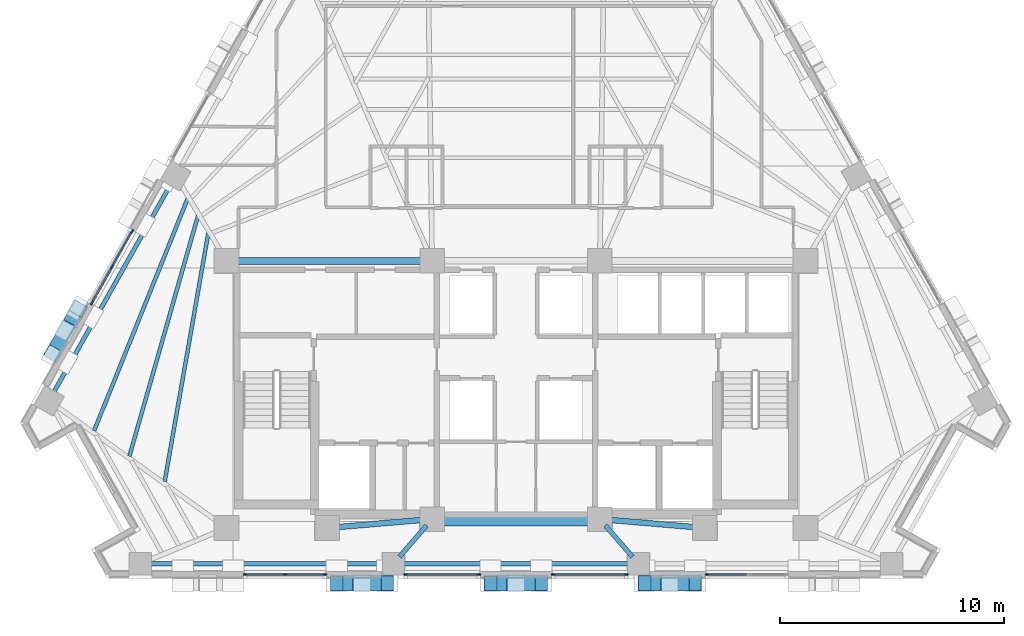
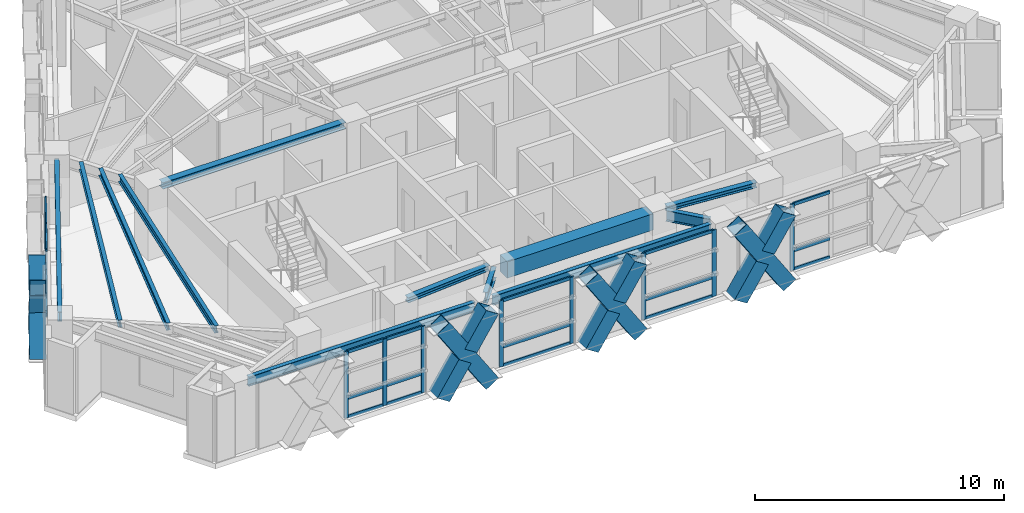
# One storey, part 2 of 14: 44 members, 12 beams, 5 elements without a shape of their own.
"""IFC4 building model written with IfcOpenShell, lengths in metres."""

from ifc_helpers import new_model, si_unit, direction, frame, origin, origin_2d, place, context, subcontext, project, spatial, rectangle, hollow_rectangle, i_section, extrude, material, material_profile, profile_set, type_object, element, aggregate, save


model = new_model("IFC4")

# Units and contexts
model_context = context("Model", 3, precision=1e-05, world=origin(), true_north=direction((0.0, 1.0)))
body_context = subcontext(model_context, "Body", "Model", "MODEL_VIEW")
ifc_project = project(units=[si_unit("LENGTHUNIT", "METRE"), si_unit("AREAUNIT", "SQUARE_METRE"), si_unit("VOLUMEUNIT", "CUBIC_METRE"), si_unit("PLANEANGLEUNIT", "RADIAN"), si_unit("MASSUNIT", "GRAM", prefix="KILO")], contexts=[model_context])

# Site, building, storey
site_placement = place(None, origin())
site = spatial("IfcSite", under=ifc_project, at=site_placement, CompositionType="ELEMENT")
building_placement = place(site_placement, origin())
building = spatial("IfcBuilding", under=site, at=building_placement, Name="Quenlor Broadcast Tower", CompositionType="ELEMENT")
storey_placement = place(building_placement, frame((0.0, 0.0, 154.5)))
storey = spatial("IfcBuildingStorey", under=building, at=storey_placement, Name="L42", CompositionType="ELEMENT", Elevation=154.5)

# Curtain wall, member
ifc_material_1 = material(Name="Architectural Terracotta and Low-E Glazing", Category="masonry")
curtain_wall_type = type_object("IfcCurtainWallType", Name="Unitised Terracotta Curtain Wall System Z3", PredefinedType="NOTDEFINED", material=ifc_material_1)
curtain_wall_1_placement = place(storey_placement, origin())
curtain_wall_1 = element("IfcCurtainWall", 1, at=curtain_wall_1_placement, inside=storey, type_object=curtain_wall_type, Name="L42 Curtain Wall CW3 (L42-SA-G1)", PredefinedType="NOTDEFINED")
ifc_material_2 = material(Name="Aluminium 6063-T6", Category="aluminium")
ifc_material_profile_1 = material_profile(ifc_material_2, rectangle(XDim=0.070068359375, YDim=0.18994140625, at=origin_2d()))
ifc_profile_set_1 = profile_set([ifc_material_profile_1], Name="Aluminium 6063-T6 MULL70x190")
member_type_1 = type_object("IfcMemberType", Name="CW3 Aluminium Mullion MULL_CW3", PredefinedType="MULLION", material=ifc_profile_set_1)
member_1_placement = place(storey_placement, frame((8.550048828125, -18.824951171875, 0.0), z_axis=(0.0, 0.0, 1.0), x_axis=(0.0, -1.0, 0.0)))
member_1 = element("IfcMember", 2, at=member_1_placement, type_object=member_type_1, Name="CW3 mullion 3", PredefinedType="MULLION", context=body_context, shape_type="SweptSolid", body=[
    extrude(rectangle(XDim=0.070068359375, YDim=0.18994140625, at=origin_2d()), origin(), (0.0, 0.0, 1.0), 3.25),
])

# Curtain wall, members
curtain_wall_2_placement = place(storey_placement, origin())
curtain_wall_2 = element("IfcCurtainWall", 3, at=curtain_wall_2_placement, inside=storey, type_object=curtain_wall_type, Name="L42 Curtain Wall CW3 (L42-SC-G1)", PredefinedType="NOTDEFINED")
member_2_placement = place(storey_placement, frame((-8.550048828125, -18.824951171875, 0.0), z_axis=(0.0, 0.0, 1.0), x_axis=(0.0, -1.0, 0.0)))
member_2 = element("IfcMember", 4, at=member_2_placement, type_object=member_type_1, Name="CW3 mullion 1", PredefinedType="MULLION", context=body_context, shape_type="SweptSolid", body=[
    extrude(rectangle(XDim=0.070068359375, YDim=0.18994140625, at=origin_2d()), origin(), (0.0, 0.0, 1.0), 3.25),
])
member_3_placement = place(storey_placement, frame((-10.33203125, -18.824951171875, 0.0), z_axis=(0.0, 0.0, 1.0), x_axis=(0.0, -1.0, 0.0)))
member_3 = element("IfcMember", 5, at=member_3_placement, type_object=member_type_1, Name="CW3 mullion 2", PredefinedType="MULLION", context=body_context, shape_type="SweptSolid", body=[
    extrude(rectangle(XDim=0.070068359375, YDim=0.18994140625, at=origin_2d()), origin(), (0.0, 0.0, 1.0), 3.25),
])
member_4_placement = place(storey_placement, frame((-12.114013671875, -18.824951171875, 0.0), z_axis=(0.0, 0.0, 1.0), x_axis=(0.0, -1.0, 0.0)))
member_4 = element("IfcMember", 6, at=member_4_placement, type_object=member_type_1, Name="CW3 mullion 3", PredefinedType="MULLION", context=body_context, shape_type="SweptSolid", body=[
    extrude(rectangle(XDim=0.070068359375, YDim=0.18994140625, at=origin_2d()), origin(), (0.0, 0.0, 1.0), 3.25),
])

curtain_wall_3_placement = place(storey_placement, origin())
curtain_wall_3 = element("IfcCurtainWall", 7, at=curtain_wall_3_placement, inside=storey, type_object=curtain_wall_type, Name="L42 Curtain Wall CW3 (L42-S-G1)", PredefinedType="NOTDEFINED")
member_5_placement = place(storey_placement, frame((4.926025390625, -18.824951171875, 0.0), z_axis=(0.0, 0.0, 1.0), x_axis=(0.0, -1.0, 0.0)))
member_5 = element("IfcMember", 8, at=member_5_placement, type_object=member_type_1, Name="CW3 mullion 1", PredefinedType="MULLION", context=body_context, shape_type="SweptSolid", body=[
    extrude(rectangle(XDim=0.070068359375, YDim=0.18994140625, at=origin_2d()), origin(), (0.0, 0.0, 1.0), 3.25),
])
member_6_placement = place(storey_placement, frame((1.662109375, -18.824951171875, 0.0), z_axis=(0.0, 0.0, 1.0), x_axis=(0.0, -1.0, 0.0)))
member_6 = element("IfcMember", 9, at=member_6_placement, type_object=member_type_1, Name="CW3 mullion 2", PredefinedType="MULLION", context=body_context, shape_type="SweptSolid", body=[
    extrude(rectangle(XDim=0.070068359375, YDim=0.18994140625, at=origin_2d()), origin(), (0.0, 0.0, 1.0), 3.25),
])

curtain_wall_4_placement = place(storey_placement, origin())
curtain_wall_4 = element("IfcCurtainWall", 10, at=curtain_wall_4_placement, inside=storey, type_object=curtain_wall_type, Name="L42 Curtain Wall CW3 (L42-S-G2)", PredefinedType="NOTDEFINED")
member_7_placement = place(storey_placement, frame((-1.662109375, -18.824951171875, 0.0), z_axis=(0.0, 0.0, 1.0), x_axis=(0.0, -1.0, 0.0)))
member_7 = element("IfcMember", 11, at=member_7_placement, type_object=member_type_1, Name="CW3 mullion 1", PredefinedType="MULLION", context=body_context, shape_type="SweptSolid", body=[
    extrude(rectangle(XDim=0.070068359375, YDim=0.18994140625, at=origin_2d()), origin(), (0.0, 0.0, 1.0), 3.25),
])
member_8_placement = place(storey_placement, frame((-4.926025390625, -18.824951171875, 0.0), z_axis=(0.0, 0.0, 1.0), x_axis=(0.0, -1.0, 0.0)))
member_8 = element("IfcMember", 12, at=member_8_placement, type_object=member_type_1, Name="CW3 mullion 2", PredefinedType="MULLION", context=body_context, shape_type="SweptSolid", body=[
    extrude(rectangle(XDim=0.070068359375, YDim=0.18994140625, at=origin_2d()), origin(), (0.0, 0.0, 1.0), 3.25),
])

curtain_wall_5_placement = place(storey_placement, origin())
curtain_wall_5 = element("IfcCurtainWall", 13, at=curtain_wall_5_placement, inside=storey, type_object=curtain_wall_type, Name="L42 Curtain Wall CW3 (L42-NWA-G1)", PredefinedType="NOTDEFINED")
member_9_placement = place(storey_placement, frame((-18.9677734375, -6.677490234375, 0.0), z_axis=(0.0, 0.0, 1.0), x_axis=(-0.871576967495, 0.490258696743, 0.0)))
member_9 = element("IfcMember", 14, at=member_9_placement, type_object=member_type_1, Name="CW3 mullion 1", PredefinedType="MULLION", context=body_context, shape_type="SweptSolid", body=[
    extrude(rectangle(XDim=0.070068359375, YDim=0.18994140625, at=origin_2d()), origin(), (0.0, 0.0, 1.0), 3.25),
])
member_10_placement = place(storey_placement, frame((-18.069580078125, -5.080810546875, 0.0), z_axis=(0.0, 0.0, 1.0), x_axis=(-0.871576967495, 0.490258696743, 0.0)))
member_10 = element("IfcMember", 15, at=member_10_placement, type_object=member_type_1, Name="CW3 mullion 2", PredefinedType="MULLION", context=body_context, shape_type="SweptSolid", body=[
    extrude(rectangle(XDim=0.070068359375, YDim=0.18994140625, at=origin_2d()), origin(), (0.0, 0.0, 1.0), 3.25),
])
member_11_placement = place(storey_placement, frame((-17.17138671875, -3.48388671875, 0.0), z_axis=(0.0, 0.0, 1.0), x_axis=(-0.871576967495, 0.490258696743, 0.0)))
member_11 = element("IfcMember", 16, at=member_11_placement, type_object=member_type_1, Name="CW3 mullion 3", PredefinedType="MULLION", context=body_context, shape_type="SweptSolid", body=[
    extrude(rectangle(XDim=0.070068359375, YDim=0.18994140625, at=origin_2d()), origin(), (0.0, 0.0, 1.0), 3.25),
])

# Member
ifc_material_3 = material(Name="Aluminium 6063-T6", Category="aluminium")
ifc_material_profile_2 = material_profile(ifc_material_3, rectangle(XDim=0.070068359375, YDim=0.155029296875, at=origin_2d()))
ifc_profile_set_2 = profile_set([ifc_material_profile_2], Name="Aluminium 6063-T6 TRAN70x155")
member_type_2 = type_object("IfcMemberType", Name="CW3 Aluminium Transom TRAN_CW3", PredefinedType="USERDEFINED", material=ifc_profile_set_2)
member_12_placement = place(storey_placement, frame((10.297119140625, -18.824951171875, 0.034912109375), z_axis=(-1.0, 0.0, 0.0), x_axis=(0.0, -1.0, 0.0)))
member_12 = element("IfcMember", 17, at=member_12_placement, type_object=member_type_2, Name="CW3 transom 2.1", ObjectType="TRANSOM", PredefinedType="USERDEFINED", context=body_context, shape_type="SweptSolid", body=[
    extrude(rectangle(XDim=0.070068359375, YDim=0.155029296875, at=origin_2d()), origin(), (0.0, 0.0, 1.0), 1.712158203125),
])

member_13_placement = place(storey_placement, frame((10.297119140625, -18.824951171875, 0.949951171875), z_axis=(-1.0, 0.0, 0.0), x_axis=(0.0, -1.0, 0.0)))
member_13 = element("IfcMember", 18, at=member_13_placement, type_object=member_type_2, Name="CW3 transom 2.2", ObjectType="TRANSOM", PredefinedType="USERDEFINED", context=body_context, shape_type="SweptSolid", body=[
    extrude(rectangle(XDim=0.070068359375, YDim=0.155029296875, at=origin_2d()), origin(), (0.0, 0.0, 1.0), 1.712158203125),
])

member_14_placement = place(storey_placement, frame((10.297119140625, -18.824951171875, 3.215087890625), z_axis=(-1.0, 0.0, 0.0), x_axis=(0.0, -1.0, 0.0)))
member_14 = element("IfcMember", 19, at=member_14_placement, type_object=member_type_2, Name="CW3 transom 2.3", ObjectType="TRANSOM", PredefinedType="USERDEFINED", context=body_context, shape_type="SweptSolid", body=[
    extrude(rectangle(XDim=0.070068359375, YDim=0.155029296875, at=origin_2d()), origin(), (0.0, 0.0, 1.0), 1.712158203125),
])

aggregate(curtain_wall_1, [member_1, member_12, member_13, member_14])

member_15_placement = place(storey_placement, frame((-8.5849609375, -18.824951171875, 0.034912109375), z_axis=(-1.0, 0.0, 0.0), x_axis=(0.0, -1.0, 0.0)))
member_15 = element("IfcMember", 20, at=member_15_placement, type_object=member_type_2, Name="CW3 transom 1.1", ObjectType="TRANSOM", PredefinedType="USERDEFINED", context=body_context, shape_type="SweptSolid", body=[
    extrude(rectangle(XDim=0.070068359375, YDim=0.155029296875, at=origin_2d()), origin(), (0.0, 0.0, 1.0), 1.712158203125),
])

member_16_placement = place(storey_placement, frame((-8.5849609375, -18.824951171875, 0.949951171875), z_axis=(-1.0, 0.0, 0.0), x_axis=(0.0, -1.0, 0.0)))
member_16 = element("IfcMember", 21, at=member_16_placement, type_object=member_type_2, Name="CW3 transom 1.2", ObjectType="TRANSOM", PredefinedType="USERDEFINED", context=body_context, shape_type="SweptSolid", body=[
    extrude(rectangle(XDim=0.070068359375, YDim=0.155029296875, at=origin_2d()), origin(), (0.0, 0.0, 1.0), 1.712158203125),
])

member_17_placement = place(storey_placement, frame((-8.5849609375, -18.824951171875, 3.215087890625), z_axis=(-1.0, 0.0, 0.0), x_axis=(0.0, -1.0, 0.0)))
member_17 = element("IfcMember", 22, at=member_17_placement, type_object=member_type_2, Name="CW3 transom 1.3", ObjectType="TRANSOM", PredefinedType="USERDEFINED", context=body_context, shape_type="SweptSolid", body=[
    extrude(rectangle(XDim=0.070068359375, YDim=0.155029296875, at=origin_2d()), origin(), (0.0, 0.0, 1.0), 1.712158203125),
])

member_18_placement = place(storey_placement, frame((-10.366943359375, -18.824951171875, 0.034912109375), z_axis=(-1.0, 0.0, 0.0), x_axis=(0.0, -1.0, 0.0)))
member_18 = element("IfcMember", 23, at=member_18_placement, type_object=member_type_2, Name="CW3 transom 2.1", ObjectType="TRANSOM", PredefinedType="USERDEFINED", context=body_context, shape_type="SweptSolid", body=[
    extrude(rectangle(XDim=0.070068359375, YDim=0.155029296875, at=origin_2d()), origin(), (0.0, 0.0, 1.0), 1.712158203125),
])

member_19_placement = place(storey_placement, frame((-10.366943359375, -18.824951171875, 0.949951171875), z_axis=(-1.0, 0.0, 0.0), x_axis=(0.0, -1.0, 0.0)))
member_19 = element("IfcMember", 24, at=member_19_placement, type_object=member_type_2, Name="CW3 transom 2.2", ObjectType="TRANSOM", PredefinedType="USERDEFINED", context=body_context, shape_type="SweptSolid", body=[
    extrude(rectangle(XDim=0.070068359375, YDim=0.155029296875, at=origin_2d()), origin(), (0.0, 0.0, 1.0), 1.712158203125),
])

member_20_placement = place(storey_placement, frame((-10.366943359375, -18.824951171875, 3.215087890625), z_axis=(-1.0, 0.0, 0.0), x_axis=(0.0, -1.0, 0.0)))
member_20 = element("IfcMember", 25, at=member_20_placement, type_object=member_type_2, Name="CW3 transom 2.3", ObjectType="TRANSOM", PredefinedType="USERDEFINED", context=body_context, shape_type="SweptSolid", body=[
    extrude(rectangle(XDim=0.070068359375, YDim=0.155029296875, at=origin_2d()), origin(), (0.0, 0.0, 1.0), 1.712158203125),
])

aggregate(curtain_wall_2, [member_2, member_3, member_4, member_15, member_16, member_17, member_18, member_19, member_20])

member_21_placement = place(storey_placement, frame((4.89111328125, -18.824951171875, 0.034912109375), z_axis=(-1.0, 0.0, 0.0), x_axis=(0.0, -1.0, 0.0)))
member_21 = element("IfcMember", 26, at=member_21_placement, type_object=member_type_2, Name="CW3 transom 1.1", ObjectType="TRANSOM", PredefinedType="USERDEFINED", context=body_context, shape_type="SweptSolid", body=[
    extrude(rectangle(XDim=0.070068359375, YDim=0.155029296875, at=origin_2d()), origin(), (0.0, 0.0, 1.0), 3.194091796875),
])

member_22_placement = place(storey_placement, frame((4.89111328125, -18.824951171875, 0.949951171875), z_axis=(-1.0, 0.0, 0.0), x_axis=(0.0, -1.0, 0.0)))
member_22 = element("IfcMember", 27, at=member_22_placement, type_object=member_type_2, Name="CW3 transom 1.2", ObjectType="TRANSOM", PredefinedType="USERDEFINED", context=body_context, shape_type="SweptSolid", body=[
    extrude(rectangle(XDim=0.070068359375, YDim=0.155029296875, at=origin_2d()), origin(), (0.0, 0.0, 1.0), 3.194091796875),
])

member_23_placement = place(storey_placement, frame((4.89111328125, -18.824951171875, 3.215087890625), z_axis=(-1.0, 0.0, 0.0), x_axis=(0.0, -1.0, 0.0)))
member_23 = element("IfcMember", 28, at=member_23_placement, type_object=member_type_2, Name="CW3 transom 1.3", ObjectType="TRANSOM", PredefinedType="USERDEFINED", context=body_context, shape_type="SweptSolid", body=[
    extrude(rectangle(XDim=0.070068359375, YDim=0.155029296875, at=origin_2d()), origin(), (0.0, 0.0, 1.0), 3.194091796875),
])

aggregate(curtain_wall_3, [member_5, member_6, member_21, member_22, member_23])

member_24_placement = place(storey_placement, frame((-1.697021484375, -18.824951171875, 0.034912109375), z_axis=(-1.0, 0.0, 0.0), x_axis=(0.0, -1.0, 0.0)))
member_24 = element("IfcMember", 29, at=member_24_placement, type_object=member_type_2, Name="CW3 transom 1.1", ObjectType="TRANSOM", PredefinedType="USERDEFINED", context=body_context, shape_type="SweptSolid", body=[
    extrude(rectangle(XDim=0.070068359375, YDim=0.155029296875, at=origin_2d()), origin(), (0.0, 0.0, 1.0), 3.194091796875),
])

member_25_placement = place(storey_placement, frame((-1.697021484375, -18.824951171875, 0.949951171875), z_axis=(-1.0, 0.0, 0.0), x_axis=(0.0, -1.0, 0.0)))
member_25 = element("IfcMember", 30, at=member_25_placement, type_object=member_type_2, Name="CW3 transom 1.2", ObjectType="TRANSOM", PredefinedType="USERDEFINED", context=body_context, shape_type="SweptSolid", body=[
    extrude(rectangle(XDim=0.070068359375, YDim=0.155029296875, at=origin_2d()), origin(), (0.0, 0.0, 1.0), 3.194091796875),
])

member_26_placement = place(storey_placement, frame((-1.697021484375, -18.824951171875, 3.215087890625), z_axis=(-1.0, 0.0, 0.0), x_axis=(0.0, -1.0, 0.0)))
member_26 = element("IfcMember", 31, at=member_26_placement, type_object=member_type_2, Name="CW3 transom 1.3", ObjectType="TRANSOM", PredefinedType="USERDEFINED", context=body_context, shape_type="SweptSolid", body=[
    extrude(rectangle(XDim=0.070068359375, YDim=0.155029296875, at=origin_2d()), origin(), (0.0, 0.0, 1.0), 3.194091796875),
])

aggregate(curtain_wall_4, [member_7, member_8, member_24, member_25, member_26])

member_27_placement = place(storey_placement, frame((-18.95068359375, -6.64697265625, 0.034912109375), z_axis=(0.490188879637, 0.871616235668, 0.0), x_axis=(-0.871616235668, 0.490188879637, 0.0)))
member_27 = element("IfcMember", 32, at=member_27_placement, type_object=member_type_2, Name="CW3 transom 1.1", ObjectType="TRANSOM", PredefinedType="USERDEFINED", context=body_context, shape_type="SweptSolid", body=[
    extrude(rectangle(XDim=0.070068359375, YDim=0.155029296875, at=origin_2d()), origin(), (0.0, 0.0, 1.0), 1.76220703125),
])

member_28_placement = place(storey_placement, frame((-18.95068359375, -6.64697265625, 0.949951171875), z_axis=(0.490188879637, 0.871616235668, 0.0), x_axis=(-0.871616235668, 0.490188879637, 0.0)))
member_28 = element("IfcMember", 33, at=member_28_placement, type_object=member_type_2, Name="CW3 transom 1.2", ObjectType="TRANSOM", PredefinedType="USERDEFINED", context=body_context, shape_type="SweptSolid", body=[
    extrude(rectangle(XDim=0.070068359375, YDim=0.155029296875, at=origin_2d()), origin(), (0.0, 0.0, 1.0), 1.76220703125),
])

member_29_placement = place(storey_placement, frame((-18.95068359375, -6.64697265625, 3.215087890625), z_axis=(0.490188879637, 0.871616235668, 0.0), x_axis=(-0.871616235668, 0.490188879637, 0.0)))
member_29 = element("IfcMember", 34, at=member_29_placement, type_object=member_type_2, Name="CW3 transom 1.3", ObjectType="TRANSOM", PredefinedType="USERDEFINED", context=body_context, shape_type="SweptSolid", body=[
    extrude(rectangle(XDim=0.070068359375, YDim=0.155029296875, at=origin_2d()), origin(), (0.0, 0.0, 1.0), 1.76220703125),
])

member_30_placement = place(storey_placement, frame((-18.052490234375, -5.05029296875, 0.034912109375), z_axis=(0.490188879637, 0.871616235668, 0.0), x_axis=(-0.871616235668, 0.490188879637, 0.0)))
member_30 = element("IfcMember", 35, at=member_30_placement, type_object=member_type_2, Name="CW3 transom 2.1", ObjectType="TRANSOM", PredefinedType="USERDEFINED", context=body_context, shape_type="SweptSolid", body=[
    extrude(rectangle(XDim=0.070068359375, YDim=0.155029296875, at=origin_2d()), origin(), (0.0, 0.0, 1.0), 1.76220703125),
])

member_31_placement = place(storey_placement, frame((-18.052490234375, -5.05029296875, 0.949951171875), z_axis=(0.490188879637, 0.871616235668, 0.0), x_axis=(-0.871616235668, 0.490188879637, 0.0)))
member_31 = element("IfcMember", 36, at=member_31_placement, type_object=member_type_2, Name="CW3 transom 2.2", ObjectType="TRANSOM", PredefinedType="USERDEFINED", context=body_context, shape_type="SweptSolid", body=[
    extrude(rectangle(XDim=0.070068359375, YDim=0.155029296875, at=origin_2d()), origin(), (0.0, 0.0, 1.0), 1.76220703125),
])

member_32_placement = place(storey_placement, frame((-18.052490234375, -5.05029296875, 3.215087890625), z_axis=(0.490188879637, 0.871616235668, 0.0), x_axis=(-0.871616235668, 0.490188879637, 0.0)))
member_32 = element("IfcMember", 37, at=member_32_placement, type_object=member_type_2, Name="CW3 transom 2.3", ObjectType="TRANSOM", PredefinedType="USERDEFINED", context=body_context, shape_type="SweptSolid", body=[
    extrude(rectangle(XDim=0.070068359375, YDim=0.155029296875, at=origin_2d()), origin(), (0.0, 0.0, 1.0), 1.76220703125),
])

aggregate(curtain_wall_5, [member_9, member_10, member_11, member_27, member_28, member_29, member_30, member_31, member_32])

# Beams
ifc_material_4 = material(Name="Concrete C50/60", Category="concrete")
ifc_material_profile_3 = material_profile(ifc_material_4, rectangle(XDim=0.60009765625, YDim=0.800048828125, at=origin_2d()))
ifc_profile_set_3 = profile_set([ifc_material_profile_3], Name="Concrete C50/60 RCB600x800")
beam_type_1 = type_object("IfcBeamType", Name="Core Coupling Beam Concrete C50/60 600x800", PredefinedType="BEAM", material=ifc_profile_set_3)
beam_1_placement = place(storey_placement, frame((-3.389892578125, -16.35009765625, 2.85009765625), z_axis=(1.0, 0.0, 0.0), x_axis=(0.0, 1.0, 0.0)))
element("IfcBeam", 38, at=beam_1_placement, inside=storey, type_object=beam_type_1, Name="L42 Core Coupling Beam 6", PredefinedType="BEAM", context=body_context, shape_type="SweptSolid", body=[
    extrude(rectangle(XDim=0.60009765625, YDim=0.800048828125, at=origin_2d()), origin(), (0.0, 0.0, 1.0), 6.77978515625),
])
ifc_material_5 = material(Name="Steel S355", Category="steel")
ifc_material_profile_4 = material_profile(ifc_material_5, i_section(OverallWidth=0.25390625, OverallDepth=0.25390625, WebThickness=0.008544921875, FlangeThickness=0.01416015625, FilletRadius=0.013916015625, at=origin_2d()))
ifc_profile_set_4 = profile_set([ifc_material_profile_4], Name="Steel S355 250UC72.9")
beam_type_2 = type_object("IfcBeamType", Name="Core Opening Lintel Beam Steel S355 250UC72.9", PredefinedType="LINTEL", material=ifc_profile_set_4)
for number, where, z_axis, x_axis, name in (
    (39, (-8.09130859375, -16.719482421875, 3.123046875), (0.996399763903, 0.084779186679, 0.0), (-0.084779186679, 0.996399763903, 0.0), "L42 Core Opening Lintel Beam 4"),
    (40, (4.108642578125, -16.380615234375, 3.123046875), (0.996399763903, -0.084779186679, 0.0), (0.084779186679, 0.996399763903, 0.0), "L42 Core Opening Lintel Beam 5"),
):
    element("IfcBeam", number, at=place(storey_placement, frame(where, z_axis=z_axis, x_axis=x_axis)), inside=storey, type_object=beam_type_2, Name=name, PredefinedType="LINTEL", context=body_context, shape_type="SweptSolid", body=[
        extrude(i_section(OverallWidth=0.25390625, OverallDepth=0.25390625, WebThickness=0.008544921875, FlangeThickness=0.01416015625, FilletRadius=0.013916015625, at=origin_2d()), origin(), (0.0, 0.0, 1.0), 3.9970703125),
    ])
ifc_material_6 = material(Name="Steel S355", Category="steel")
ifc_material_profile_5 = material_profile(ifc_material_6, i_section(OverallWidth=0.306884765625, OverallDepth=0.314697265625, WebThickness=0.011962890625, FlangeThickness=0.018798828125, FilletRadius=0.0166015625, at=origin_2d()))
ifc_profile_set_5 = profile_set([ifc_material_profile_5], Name="Steel S355 310UC118")
beam_type_3 = type_object("IfcBeamType", Name="Core Tie Beam Steel S355 310UC118", PredefinedType="BEAM", material=ifc_profile_set_5)
beam_2_placement = place(storey_placement, frame((-12.590087890625, -4.800048828125, 3.0927734375), z_axis=(1.0, 0.0, 0.0), x_axis=(0.0, 1.0, 0.0)))
element("IfcBeam", 41, at=beam_2_placement, inside=storey, type_object=beam_type_3, Name="L42 Core Tie Beam 1", PredefinedType="BEAM", context=body_context, shape_type="SweptSolid", body=[
    extrude(i_section(OverallWidth=0.306884765625, OverallDepth=0.314697265625, WebThickness=0.011962890625, FlangeThickness=0.018798828125, FilletRadius=0.0166015625, at=origin_2d()), origin(), (0.0, 0.0, 1.0), 8.47998046875),
])

# Members
ifc_material_7 = material(Name="Steel S355", Category="steel")
ifc_material_profile_6 = material_profile(ifc_material_7, hollow_rectangle(XDim=0.679931640625, YDim=0.679931640625, WallThickness=0.02490234375, at=origin_2d()))
ifc_profile_set_6 = profile_set([ifc_material_profile_6], Name="Steel S355 RHS680x680x25")
member_type_3 = type_object("IfcMemberType", Name="Perimeter Diagonal Lattice Brace Z3-Z4 Steel S355 RHS680x25", PredefinedType="BRACE", material=ifc_profile_set_6)
member_33_placement = place(storey_placement, frame((8.022216796875, -19.219970703125, -0.1201171875), z_axis=(-0.543860340502, 0.0, 0.839175744424), x_axis=(0.0, -1.0, 0.0)))
element("IfcMember", 42, at=member_33_placement, inside=storey, type_object=member_type_3, Name="L42 Perimeter Diamond Lattice S-C2XA", PredefinedType="BRACE", context=body_context, shape_type="SweptSolid", body=[
    extrude(hollow_rectangle(XDim=0.679931640625, YDim=0.679931640625, WallThickness=0.02490234375, at=origin_2d()), origin(), (0.0, 0.0, 1.0), 4.170654296875),
])
member_34_placement = place(storey_placement, frame((5.75390625, -19.219970703125, -0.1201171875), z_axis=(0.543786168213, 0.0, 0.839223809994), x_axis=(0.0, 1.0, 0.0)))
element("IfcMember", 43, at=member_34_placement, inside=storey, type_object=member_type_3, Name="L42 Perimeter Diamond Lattice S-C2XB1", PredefinedType="BRACE", context=body_context, shape_type="SweptSolid", body=[
    extrude(hollow_rectangle(XDim=0.679931640625, YDim=0.679931640625, WallThickness=0.02490234375, at=origin_2d()), origin(), (0.0, 0.0, 1.0), 1.83544921875),
])
member_35_placement = place(storey_placement, frame((7.02392578125, -19.219970703125, 1.83984375), z_axis=(0.543940555506, 0.0, 0.839123752539), x_axis=(0.0, 1.0, 0.0)))
element("IfcMember", 44, at=member_35_placement, inside=storey, type_object=member_type_3, Name="L42 Perimeter Diamond Lattice S-C2XB2", PredefinedType="BRACE", context=body_context, shape_type="SweptSolid", body=[
    extrude(hollow_rectangle(XDim=0.679931640625, YDim=0.679931640625, WallThickness=0.02490234375, at=origin_2d()), origin(), (0.0, 0.0, 1.0), 1.835205078125),
])
member_36_placement = place(storey_placement, frame((1.13427734375, -19.219970703125, -0.1201171875), z_axis=(-0.543901560697, 0.0, 0.839149028643), x_axis=(0.0, -1.0, 0.0)))
element("IfcMember", 45, at=member_36_placement, inside=storey, type_object=member_type_3, Name="L42 Perimeter Diamond Lattice S-C3XA", PredefinedType="BRACE", context=body_context, shape_type="SweptSolid", body=[
    extrude(hollow_rectangle(XDim=0.679931640625, YDim=0.679931640625, WallThickness=0.02490234375, at=origin_2d()), origin(), (0.0, 0.0, 1.0), 4.1708984375),
])
member_37_placement = place(storey_placement, frame((-1.13427734375, -19.219970703125, -0.1201171875), z_axis=(0.543879843653, 0.0, 0.83916310433), x_axis=(0.0, 1.0, 0.0)))
element("IfcMember", 46, at=member_37_placement, inside=storey, type_object=member_type_3, Name="L42 Perimeter Diamond Lattice S-C3XB1", PredefinedType="BRACE", context=body_context, shape_type="SweptSolid", body=[
    extrude(hollow_rectangle(XDim=0.679931640625, YDim=0.679931640625, WallThickness=0.02490234375, at=origin_2d()), origin(), (0.0, 0.0, 1.0), 1.83544921875),
])
member_38_placement = place(storey_placement, frame((0.135986328125, -19.219970703125, 1.83984375), z_axis=(0.543940555506, 0.0, 0.839123752539), x_axis=(0.0, 1.0, 0.0)))
element("IfcMember", 47, at=member_38_placement, inside=storey, type_object=member_type_3, Name="L42 Perimeter Diamond Lattice S-C3XB2", PredefinedType="BRACE", context=body_context, shape_type="SweptSolid", body=[
    extrude(hollow_rectangle(XDim=0.679931640625, YDim=0.679931640625, WallThickness=0.02490234375, at=origin_2d()), origin(), (0.0, 0.0, 1.0), 1.835205078125),
])
member_39_placement = place(storey_placement, frame((-5.75390625, -19.219970703125, -0.1201171875), z_axis=(-0.543860340502, 0.0, 0.839175744424), x_axis=(0.0, -1.0, 0.0)))
element("IfcMember", 48, at=member_39_placement, inside=storey, type_object=member_type_3, Name="L42 Perimeter Diamond Lattice S-C4XA", PredefinedType="BRACE", context=body_context, shape_type="SweptSolid", body=[
    extrude(hollow_rectangle(XDim=0.679931640625, YDim=0.679931640625, WallThickness=0.02490234375, at=origin_2d()), origin(), (0.0, 0.0, 1.0), 4.170654296875),
])
member_40_placement = place(storey_placement, frame((-8.022216796875, -19.219970703125, -0.1201171875), z_axis=(0.543879843653, 0.0, 0.83916310433), x_axis=(0.0, 1.0, 0.0)))
element("IfcMember", 49, at=member_40_placement, inside=storey, type_object=member_type_3, Name="L42 Perimeter Diamond Lattice S-C4XB1", PredefinedType="BRACE", context=body_context, shape_type="SweptSolid", body=[
    extrude(hollow_rectangle(XDim=0.679931640625, YDim=0.679931640625, WallThickness=0.02490234375, at=origin_2d()), origin(), (0.0, 0.0, 1.0), 1.83544921875),
])
member_41_placement = place(storey_placement, frame((-6.751953125, -19.219970703125, 1.83984375), z_axis=(0.543846878394, 0.0, 0.839184468911), x_axis=(0.0, 1.0, 0.0)))
element("IfcMember", 50, at=member_41_placement, inside=storey, type_object=member_type_3, Name="L42 Perimeter Diamond Lattice S-C4XB2", PredefinedType="BRACE", context=body_context, shape_type="SweptSolid", body=[
    extrude(hollow_rectangle(XDim=0.679931640625, YDim=0.679931640625, WallThickness=0.02490234375, at=origin_2d()), origin(), (0.0, 0.0, 1.0), 1.835205078125),
])
member_42_placement = place(storey_placement, frame((-20.705810546875, -8.96142578125, -0.1201171875), z_axis=(0.2705491942, 0.481008661973, 0.833926735766), x_axis=(-0.871589611547, 0.490236217596, 0.0)))
element("IfcMember", 51, at=member_42_placement, inside=storey, type_object=member_type_3, Name="L42 Perimeter Diamond Lattice NW-C1XA", PredefinedType="BRACE", context=body_context, shape_type="SweptSolid", body=[
    extrude(hollow_rectangle(XDim=0.679931640625, YDim=0.679931640625, WallThickness=0.02490234375, at=origin_2d()), origin(), (0.0, 0.0, 1.0), 4.197021484375),
])
member_43_placement = place(storey_placement, frame((-19.5703125, -6.942626953125, -0.1201171875), z_axis=(-0.270494026149, -0.481025021111, 0.833935195853), x_axis=(0.871639445711, -0.490147607034, 0.0)))
element("IfcMember", 52, at=member_43_placement, inside=storey, type_object=member_type_3, Name="L42 Perimeter Diamond Lattice NW-C1XB1", PredefinedType="BRACE", context=body_context, shape_type="SweptSolid", body=[
    extrude(hollow_rectangle(XDim=0.679931640625, YDim=0.679931640625, WallThickness=0.02490234375, at=origin_2d()), origin(), (0.0, 0.0, 1.0), 1.848388671875),
])
member_44_placement = place(storey_placement, frame((-20.20556640625, -8.072265625, 1.83837890625), z_axis=(-0.270616433058, -0.481007832697, 0.833905396938), x_axis=(0.871537189362, -0.490329407194, 0.0)))
element("IfcMember", 53, at=member_44_placement, inside=storey, type_object=member_type_3, Name="L42 Perimeter Diamond Lattice NW-C1XB2", PredefinedType="BRACE", context=body_context, shape_type="SweptSolid", body=[
    extrude(hollow_rectangle(XDim=0.679931640625, YDim=0.679931640625, WallThickness=0.02490234375, at=origin_2d()), origin(), (0.0, 0.0, 1.0), 1.8486328125),
])

# Beams
ifc_material_8 = material(Name="Steel S355", Category="steel")
ifc_material_profile_7 = material_profile(ifc_material_8, i_section(OverallWidth=0.19091796875, OverallDepth=0.46044921875, WebThickness=0.010009765625, FlangeThickness=0.01611328125, FilletRadius=0.011474609375, at=origin_2d()))
ifc_profile_set_7 = profile_set([ifc_material_profile_7], Name="Steel S355 460UB82.1")
beam_type_4 = type_object("IfcBeamType", Name="Perimeter Spandrel Beam Z3 Steel S355 460UB82.1", PredefinedType="SPANDREL", material=ifc_profile_set_7)
beam_3_placement = place(storey_placement, frame((-16.3984375, -18.35009765625, 3.019775390625), z_axis=(1.0, 0.0, 0.0), x_axis=(0.0, 1.0, 0.0)))
element("IfcBeam", 54, at=beam_3_placement, inside=storey, type_object=beam_type_4, Name="L42 Spandrel Beam S1-S2", PredefinedType="SPANDREL", context=body_context, shape_type="SweptSolid", body=[
    extrude(i_section(OverallWidth=0.19091796875, OverallDepth=0.46044921875, WebThickness=0.010009765625, FlangeThickness=0.01611328125, FilletRadius=0.011474609375, at=origin_2d()), origin(), (0.0, 0.0, 1.0), 10.50732421875),
])
beam_4_placement = place(storey_placement, frame((-5.071044921875, -18.35009765625, 3.019775390625), z_axis=(1.0, 0.0, 0.0), x_axis=(0.0, 1.0, 0.0)))
element("IfcBeam", 55, at=beam_4_placement, inside=storey, type_object=beam_type_4, Name="L42 Spandrel Beam S2-S3", PredefinedType="SPANDREL", context=body_context, shape_type="SweptSolid", body=[
    extrude(i_section(OverallWidth=0.19091796875, OverallDepth=0.46044921875, WebThickness=0.010009765625, FlangeThickness=0.01611328125, FilletRadius=0.011474609375, at=origin_2d()), origin(), (0.0, 0.0, 1.0), 10.14208984375),
])
beam_5_placement = place(storey_placement, frame((-15.425048828125, -1.347900390625, 3.019775390625), z_axis=(-0.490257999604, -0.871577359633, 0.0), x_axis=(0.871577359633, -0.490257999604, 0.0)))
element("IfcBeam", 56, at=beam_5_placement, inside=storey, type_object=beam_type_4, Name="L42 Spandrel Beam NW3-NW4", PredefinedType="SPANDREL", context=body_context, shape_type="SweptSolid", body=[
    extrude(i_section(OverallWidth=0.19091796875, OverallDepth=0.46044921875, WebThickness=0.010009765625, FlangeThickness=0.01611328125, FilletRadius=0.011474609375, at=origin_2d()), origin(), (0.0, 0.0, 1.0), 10.732666015625),
])
ifc_material_9 = material(Name="Steel S355", Category="steel")
ifc_material_profile_8 = material_profile(ifc_material_9, i_section(OverallWidth=0.172119140625, OverallDepth=0.358642578125, WebThickness=0.008056640625, FlangeThickness=0.012939453125, FilletRadius=0.011474609375, at=origin_2d()))
ifc_profile_set_8 = profile_set([ifc_material_profile_8], Name="Steel S355 360UB56.7")
beam_type_5 = type_object("IfcBeamType", Name="Tower Composite Joist Z2-Z3 Steel S355 360UB56.7", PredefinedType="JOIST", material=ifc_profile_set_8)
beam_6_placement = place(storey_placement, frame((-15.71435546875, -14.679443359375, 3.07080078125), z_axis=(0.172906811417, 0.984938188195, 0.0), x_axis=(-0.984938188195, 0.172906811417, 0.0)))
element("IfcBeam", 57, at=beam_6_placement, inside=storey, type_object=beam_type_5, Name="L42 Secondary Composite Joist 13", PredefinedType="JOIST", context=body_context, shape_type="SweptSolid", body=[
    extrude(i_section(OverallWidth=0.172119140625, OverallDepth=0.358642578125, WebThickness=0.008056640625, FlangeThickness=0.012939453125, FilletRadius=0.011474609375, at=origin_2d()), origin(), (0.0, 0.0, 1.0), 11.30419921875),
])
beam_7_placement = place(storey_placement, frame((-17.293701171875, -13.543212890625, 3.07080078125), z_axis=(0.274418577045, 0.961610339261, 0.0), x_axis=(-0.961610339261, 0.274418577045, 0.0)))
element("IfcBeam", 58, at=beam_7_placement, inside=storey, type_object=beam_type_5, Name="L42 Secondary Composite Joist 14", PredefinedType="JOIST", context=body_context, shape_type="SweptSolid", body=[
    extrude(i_section(OverallWidth=0.172119140625, OverallDepth=0.358642578125, WebThickness=0.008056640625, FlangeThickness=0.012939453125, FilletRadius=0.011474609375, at=origin_2d()), origin(), (0.0, 0.0, 1.0), 11.191162109375),
])
beam_8_placement = place(storey_placement, frame((-18.873291015625, -12.407958984375, 3.07080078125), z_axis=(0.373824118901, 0.927499610851, 0.0), x_axis=(-0.927499610851, 0.373824118901, 0.0)))
element("IfcBeam", 59, at=beam_8_placement, inside=storey, type_object=beam_type_5, Name="L42 Secondary Composite Joist 15", PredefinedType="JOIST", context=body_context, shape_type="SweptSolid", body=[
    extrude(i_section(OverallWidth=0.172119140625, OverallDepth=0.358642578125, WebThickness=0.008056640625, FlangeThickness=0.012939453125, FilletRadius=0.011474609375, at=origin_2d()), origin(), (0.0, 0.0, 1.0), 11.203125),
])
ifc_material_10 = material(Name="Steel S355", Category="steel")
ifc_material_profile_9 = material_profile(ifc_material_10, i_section(OverallWidth=0.208984375, OverallDepth=0.532958984375, WebThickness=0.01025390625, FlangeThickness=0.015625, FilletRadius=0.013916015625, at=origin_2d()))
ifc_profile_set_9 = profile_set([ifc_material_profile_9], Name="Steel S355 530UB92.4")
beam_type_6 = type_object("IfcBeamType", Name="Tower Primary Floor Beam Z3 Steel S355 530UB92.4", PredefinedType="BEAM", material=ifc_profile_set_9)
for number, where, z_axis, x_axis, name in (
    (60, (-5.212646484375, -18.0400390625, 2.9833984375), (0.654339118401, 0.75620124182, 0.0), (-0.75620124182, 0.654339118401, 0.0), "L42 Primary Radial Beam S2"),
    (61, (5.212646484375, -18.0400390625, 2.9833984375), (-0.654339118401, 0.75620124182, 0.0), (-0.75620124182, -0.654339118401, 0.0), "L42 Primary Radial Beam S3"),
):
    element("IfcBeam", number, at=place(storey_placement, frame(where, z_axis=z_axis, x_axis=x_axis)), inside=storey, type_object=beam_type_6, Name=name, PredefinedType="BEAM", context=body_context, shape_type="SweptSolid", body=[
        extrude(i_section(OverallWidth=0.208984375, OverallDepth=0.532958984375, WebThickness=0.01025390625, FlangeThickness=0.015625, FilletRadius=0.013916015625, at=origin_2d()), origin(), (0.0, 0.0, 1.0), 1.855224609375),
    ])

save(model, "model.ifc")
